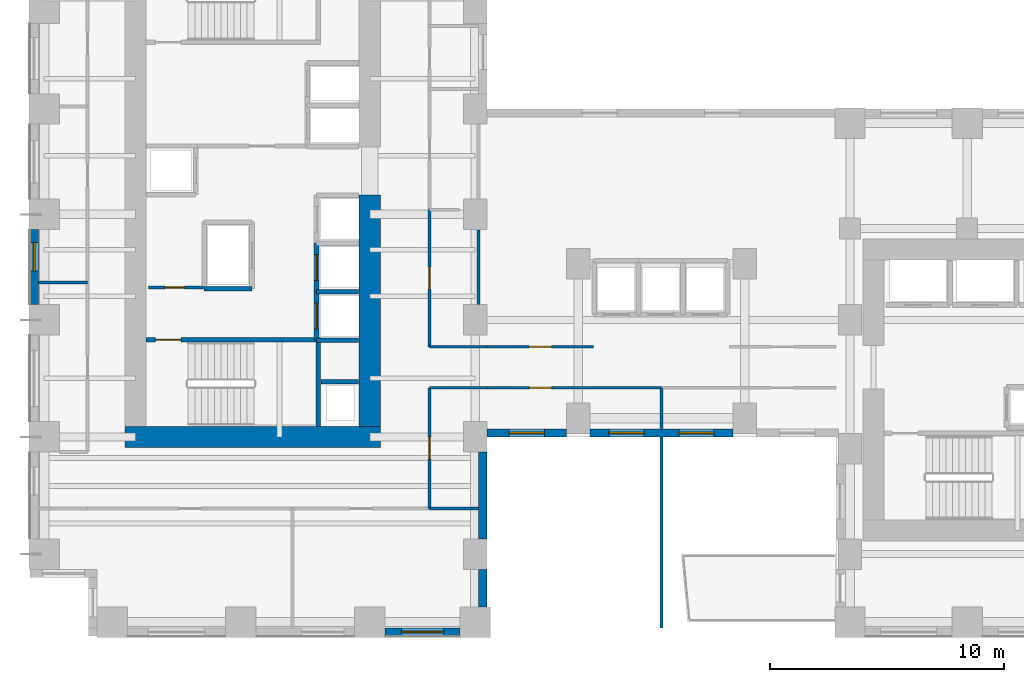
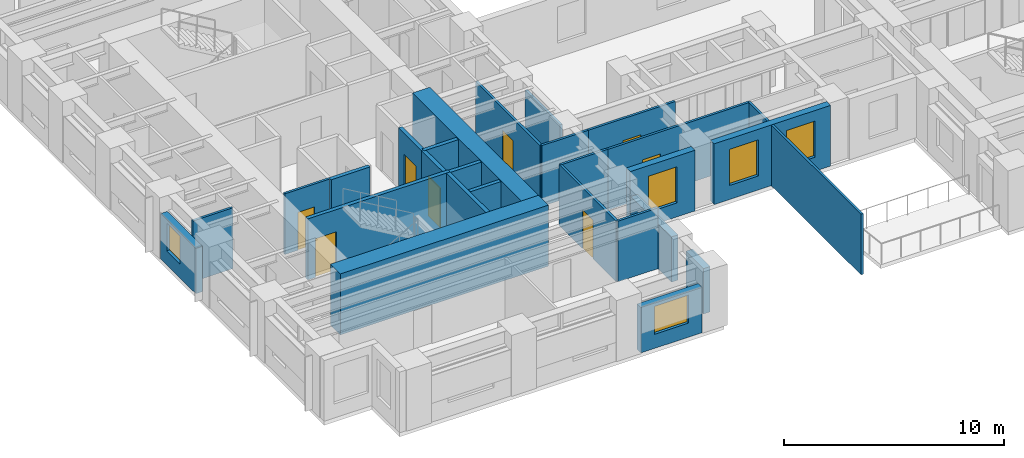
# One storey, part 4 of 13: 28 walls, 8 doors, 5 windows, 13 openings.
"""IFC4 building model written with IfcOpenShell, lengths in metres."""

from ifc_helpers import new_model, si_unit, direction, frame, frame_2d, origin, place, context, subcontext, project, spatial, rectangle, extrude, source, transform, mapped, material, layer, layer_set, type_object, element, fill, save


model = new_model("IFC4")

# Units and contexts
model_context = context("Model", 3, precision=1e-05, world=origin(), true_north=direction((0.0, 1.0)))
body_context = subcontext(model_context, "Body", "Model", "MODEL_VIEW")
ifc_project = project(units=[si_unit("LENGTHUNIT", "METRE"), si_unit("AREAUNIT", "SQUARE_METRE"), si_unit("VOLUMEUNIT", "CUBIC_METRE"), si_unit("PLANEANGLEUNIT", "RADIAN"), si_unit("MASSUNIT", "GRAM", prefix="KILO")], contexts=[model_context])

# Site, building, storey
site_placement = place(None, origin())
site = spatial("IfcSite", under=ifc_project, at=site_placement, CompositionType="ELEMENT")
building_placement = place(site_placement, origin())
building = spatial("IfcBuilding", under=site, at=building_placement, Name="Kharzan Plaza Tower", CompositionType="ELEMENT")
storey_placement = place(building_placement, frame((0.0, 0.0, 47.699951171875)))
storey = spatial("IfcBuildingStorey", under=building, at=storey_placement, Name="L12", CompositionType="ELEMENT", Elevation=47.699951171875)

# Wall, opening, window
ifc_material_1 = material(Name="Concrete C40/50", Category="concrete")
ifc_layer_1 = layer(ifc_material_1, 0.35009765625)
ifc_layer_set_1 = layer_set([ifc_layer_1], Name="Concrete C40/50")
wall_type_1 = type_object("IfcWallType", Name="WL-EXT-MAS-Z1", PredefinedType="SOLIDWALL", material=ifc_layer_set_1)
wall_1_placement = place(storey_placement, frame((0.175048828125, 17.35205078125, 0.0), z_axis=(0.0, 0.0, 1.0), x_axis=(0.0, -1.0, 0.0)))
wall_1 = element("IfcWall", 1, at=wall_1_placement, inside=storey, type_object=wall_type_1, Name="L12 Masonry-Frame Exterior Wall 17", PredefinedType="SOLIDWALL", context=body_context, shape_type="SweptSolid", body=[
    extrude(rectangle(XDim=3.2041015625, YDim=0.35009765625, at=frame_2d((1.60205078125, 0.0))), origin(), (0.0, 0.0, 1.0), 2.510009765625),
])
opening_1_placement = place(wall_1_placement, frame((0.56103515625, 0.0, 0.780029296875)))
opening_1 = element("IfcOpeningElement", 2, at=opening_1_placement, cuts=wall_1, Name="Opening W3", PredefinedType="OPENING", context=body_context, shape_type="SweptSolid", body=[
    extrude(rectangle(XDim=1.199951171875, YDim=1.550048828125, at=frame_2d((0.60009765625, 0.77490234375))), frame((0.0, 0.18505859375, 0.0), z_axis=(0.0, -1.0, 0.0), x_axis=(1.0, 0.0, 0.0)), (0.0, 0.0, 1.0), 0.3701171875),
])
ifc_material_2 = material(Name="Low-E Double Glazing", Category="glass")
window_type_1 = type_object("IfcWindowType", Name="WN-REC-1200x2100", PartitioningType="SINGLE_PANEL", PredefinedType="WINDOW", material=ifc_material_2)
shared_shape_1 = source(origin(), body_context, "Body", "SweptSolid", [
    extrude(rectangle(XDim=1.199951171875, YDim=1.550048828125, at=frame_2d((0.60009765625, 0.77490234375))), frame((0.0, 0.030029296875, 0.0), z_axis=(0.0, -1.0, 0.0), x_axis=(1.0, 0.0, 0.0)), (0.0, 0.0, 1.0), 0.06005859375),
])
window_1_placement = place(opening_1_placement, origin())
window_1 = element("IfcWindow", 3, at=window_1_placement, inside=storey, type_object=window_type_1, Name="L12 Recessed Solar-Control Window 17-1", OverallHeight=1.550048828125, OverallWidth=1.199951171875, PartitioningType="SINGLE_PANEL", PredefinedType="WINDOW", context=body_context, shape_type="MappedRepresentation", body=[
    mapped(shared_shape_1, transform((0.0, 0.0, 0.0), x_axis=(1.0, 0.0, 0.0), y_axis=(0.0, 1.0, 0.0), z_axis=(0.0, 0.0, 1.0))),
])
fill(opening_1, window_1)

wall_2_placement = place(storey_placement, frame((15.14794921875, 0.175048828125, 0.0), z_axis=(0.0, 0.0, 1.0), x_axis=(1.0, 0.0, 0.0)))
wall_2 = element("IfcWall", 4, at=wall_2_placement, inside=storey, type_object=wall_type_1, Name="L12 Masonry-Frame Exterior Wall 25", PredefinedType="SOLIDWALL", context=body_context, shape_type="SweptSolid", body=[
    extrude(rectangle(XDim=3.2041015625, YDim=0.35009765625, at=frame_2d((1.60205078125, 0.0))), origin(), (0.0, 0.0, 1.0), 2.510009765625),
])
opening_2_placement = place(wall_2_placement, frame((0.701904296875, 0.0, 0.780029296875)))
opening_2 = element("IfcOpeningElement", 5, at=opening_2_placement, cuts=wall_2, Name="Opening W1", PredefinedType="OPENING", context=body_context, shape_type="SweptSolid", body=[
    extrude(rectangle(XDim=1.800048828125, YDim=1.550048828125, at=frame_2d((0.89990234375, 0.77490234375))), frame((0.0, 0.18505859375, 0.0), z_axis=(0.0, -1.0, 0.0), x_axis=(1.0, 0.0, 0.0)), (0.0, 0.0, 1.0), 0.3701171875),
])
window_type_2 = type_object("IfcWindowType", Name="WN-REC-1800x2100", PartitioningType="SINGLE_PANEL", PredefinedType="WINDOW", material=ifc_material_2)
shared_shape_2 = source(origin(), body_context, "Body", "SweptSolid", [
    extrude(rectangle(XDim=1.800048828125, YDim=1.550048828125, at=frame_2d((0.89990234375, 0.77490234375))), frame((0.0, 0.030029296875, 0.0), z_axis=(0.0, -1.0, 0.0), x_axis=(1.0, 0.0, 0.0)), (0.0, 0.0, 1.0), 0.06005859375),
])
window_2_placement = place(opening_2_placement, origin())
window_2 = element("IfcWindow", 6, at=window_2_placement, inside=storey, type_object=window_type_2, Name="L12 Recessed Solar-Control Window 25-1", OverallHeight=1.550048828125, OverallWidth=1.800048828125, PartitioningType="SINGLE_PANEL", PredefinedType="WINDOW", context=body_context, shape_type="MappedRepresentation", body=[
    mapped(shared_shape_2, transform((0.0, 0.0, 0.0), x_axis=(1.0, 0.0, 0.0), y_axis=(0.0, 1.0, 0.0), z_axis=(0.0, 0.0, 1.0))),
])
fill(opening_2, window_2)

wall_3_placement = place(storey_placement, frame((19.498046875, 8.675048828125, 0.0), z_axis=(0.0, 0.0, 1.0), x_axis=(1.0, 0.0, 0.0)))
wall_3 = element("IfcWall", 7, at=wall_3_placement, inside=storey, type_object=wall_type_1, Name="L12 Masonry-Frame Exterior Wall 28", PredefinedType="SOLIDWALL", context=body_context, shape_type="SweptSolid", body=[
    extrude(rectangle(XDim=3.404052734375, YDim=0.35009765625, at=frame_2d((1.7021484375, 0.0))), origin(), (0.0, 0.0, 1.0), 3.364990234375),
])
opening_3_placement = place(wall_3_placement, frame((0.951904296875, 0.0, 0.780029296875)))
opening_3 = element("IfcOpeningElement", 8, at=opening_3_placement, cuts=wall_3, Name="Opening W5", PredefinedType="OPENING", context=body_context, shape_type="SweptSolid", body=[
    extrude(rectangle(XDim=1.5, YDim=2.0, at=frame_2d((0.75, 1.0))), frame((0.0, 0.18505859375, 0.0), z_axis=(0.0, -1.0, 0.0), x_axis=(1.0, 0.0, 0.0)), (0.0, 0.0, 1.0), 0.3701171875),
])
window_type_3 = type_object("IfcWindowType", Name="WN-SLT-1500x2000", PartitioningType="SINGLE_PANEL", PredefinedType="WINDOW", material=ifc_material_2)
shared_shape_3 = source(origin(), body_context, "Body", "SweptSolid", [
    extrude(rectangle(XDim=1.5, YDim=2.0, at=frame_2d((0.75, 1.0))), frame((0.0, 0.030029296875, 0.0), z_axis=(0.0, -1.0, 0.0), x_axis=(1.0, 0.0, 0.0)), (0.0, 0.0, 1.0), 0.06005859375),
])
window_3_placement = place(opening_3_placement, origin())
window_3 = element("IfcWindow", 9, at=window_3_placement, inside=storey, type_object=window_type_3, Name="L12 Recessed Solar-Control Window 28-1", OverallHeight=2.0, OverallWidth=1.5, PartitioningType="SINGLE_PANEL", PredefinedType="WINDOW", context=body_context, shape_type="MappedRepresentation", body=[
    mapped(shared_shape_3, transform((0.0, 0.0, 0.0), x_axis=(1.0, 0.0, 0.0), y_axis=(0.0, 1.0, 0.0), z_axis=(0.0, 0.0, 1.0))),
])
fill(opening_3, window_3)

# Wall, openings, windows
wall_4_placement = place(storey_placement, frame((23.89794921875, 8.675048828125, 0.0), z_axis=(0.0, 0.0, 1.0), x_axis=(1.0, 0.0, 0.0)))
wall_4 = element("IfcWall", 10, at=wall_4_placement, inside=storey, type_object=wall_type_1, Name="L12 Masonry-Frame Exterior Wall 29", PredefinedType="SOLIDWALL", context=body_context, shape_type="SweptSolid", body=[
    extrude(rectangle(XDim=6.10400390625, YDim=0.35009765625, at=frame_2d((3.052001953125, 0.0))), origin(), (0.0, 0.0, 1.0), 3.364990234375),
])
opening_4_placement = place(wall_4_placement, frame((0.81103515625, 0.0, 0.780029296875)))
opening_4 = element("IfcOpeningElement", 11, at=opening_4_placement, cuts=wall_4, Name="Opening W5", PredefinedType="OPENING", context=body_context, shape_type="SweptSolid", body=[
    extrude(rectangle(XDim=1.5, YDim=2.0, at=frame_2d((0.75, 1.0))), frame((0.0, 0.18505859375, 0.0), z_axis=(0.0, -1.0, 0.0), x_axis=(1.0, 0.0, 0.0)), (0.0, 0.0, 1.0), 0.3701171875),
])
opening_5_placement = place(wall_4_placement, frame((3.79296875, 0.0, 0.780029296875)))
opening_5 = element("IfcOpeningElement", 12, at=opening_5_placement, cuts=wall_4, Name="Opening W5", PredefinedType="OPENING", context=body_context, shape_type="SweptSolid", body=[
    extrude(rectangle(XDim=1.5, YDim=2.0, at=frame_2d((0.75, 1.0))), frame((0.0, 0.18505859375, 0.0), z_axis=(0.0, -1.0, 0.0), x_axis=(1.0, 0.0, 0.0)), (0.0, 0.0, 1.0), 0.3701171875),
])
window_4_placement = place(opening_4_placement, origin())
window_4 = element("IfcWindow", 13, at=window_4_placement, inside=storey, type_object=window_type_3, Name="L12 Recessed Solar-Control Window 29-1", OverallHeight=2.0, OverallWidth=1.5, PartitioningType="SINGLE_PANEL", PredefinedType="WINDOW", context=body_context, shape_type="MappedRepresentation", body=[
    mapped(shared_shape_3, transform((0.0, 0.0, 0.0), x_axis=(1.0, 0.0, 0.0), y_axis=(0.0, 1.0, 0.0), z_axis=(0.0, 0.0, 1.0))),
])
fill(opening_4, window_4)
window_5_placement = place(opening_5_placement, origin())
window_5 = element("IfcWindow", 14, at=window_5_placement, inside=storey, type_object=window_type_3, Name="L12 Recessed Solar-Control Window 29-2", OverallHeight=2.0, OverallWidth=1.5, PartitioningType="SINGLE_PANEL", PredefinedType="WINDOW", context=body_context, shape_type="MappedRepresentation", body=[
    mapped(shared_shape_3, transform((0.0, 0.0, 0.0), x_axis=(1.0, 0.0, 0.0), y_axis=(0.0, 1.0, 0.0), z_axis=(0.0, 0.0, 1.0))),
])
fill(opening_5, window_5)

# Wall, opening, door
ifc_material_3 = material(Name="Fire-Rated Gypsum Board Partition", Category="gypsum")
ifc_layer_2 = layer(ifc_material_3, 0.125)
ifc_layer_set_2 = layer_set([ifc_layer_2], Name="Fire-Rated Gypsum Board Partition")
wall_type_2 = type_object("IfcWallType", Name="WL-INT-PART-125", PredefinedType="PARTITIONING", material=ifc_layer_set_2)
wall_5_placement = place(storey_placement, frame((5.050048828125, 14.8798828125, 0.0), z_axis=(0.0, 0.0, 1.0), x_axis=(1.0, 0.0, 0.0)))
wall_5 = element("IfcWall", 15, at=wall_5_placement, inside=storey, type_object=wall_type_2, Name="L12 Interior Partition CA-K0", PredefinedType="PARTITIONING", context=body_context, shape_type="SweptSolid", body=[
    extrude(rectangle(XDim=2.349853515625, YDim=0.125, at=frame_2d((1.1748046875, 0.0))), origin(), (0.0, 0.0, 1.0), 3.364990234375),
])
opening_6_placement = place(wall_5_placement, frame((0.699951171875, 0.0, 0.0)))
opening_6 = element("IfcOpeningElement", 16, at=opening_6_placement, cuts=wall_5, Name="Opening RD1", PredefinedType="OPENING", context=body_context, shape_type="SweptSolid", body=[
    extrude(rectangle(XDim=0.85009765625, YDim=2.10009765625, at=frame_2d((0.425048828125, 1.050048828125))), frame((0.0, 0.072509765625, 0.0), z_axis=(0.0, -1.0, 0.0), x_axis=(1.0, 0.0, 0.0)), (0.0, 0.0, 1.0), 0.14501953125),
])
ifc_material_4 = material(Name="Powder-Coated Fire-Rated Steel", Category="steel")
door_type_1 = type_object("IfcDoorType", Name="DR-RISER-900", OperationType="NOTDEFINED", PredefinedType="DOOR", material=ifc_material_4)
shared_shape_4 = source(origin(), body_context, "Body", "SweptSolid", [
    extrude(rectangle(XDim=0.85009765625, YDim=2.10009765625, at=frame_2d((0.425048828125, 1.050048828125))), frame((0.0, 0.02490234375, 0.0), z_axis=(0.0, -1.0, 0.0), x_axis=(1.0, 0.0, 0.0)), (0.0, 0.0, 1.0), 0.050048828125),
])
door_1_placement = place(opening_6_placement, origin())
door_1 = element("IfcDoor", 17, at=door_1_placement, inside=storey, type_object=door_type_1, Name="L12 Cleaners Store Door", OperationType="SINGLE_SWING_RIGHT", OverallHeight=2.10009765625, OverallWidth=0.85009765625, PredefinedType="DOOR", context=body_context, shape_type="MappedRepresentation", body=[
    mapped(shared_shape_4, transform((0.0, 0.0, 0.0), x_axis=(1.0, 0.0, 0.0), y_axis=(0.0, 1.0, 0.0), z_axis=(0.0, 0.0, 1.0))),
])
fill(opening_6, door_1)

wall_6_placement = place(storey_placement, frame((17.050048828125, 12.35009765625, 0.0), z_axis=(0.0, 0.0, 1.0), x_axis=(0.0, 1.0, 0.0)))
wall_6 = element("IfcWall", 18, at=wall_6_placement, inside=storey, type_object=wall_type_2, Name="L12 Interior Partition SH-AEWN1", PredefinedType="PARTITIONING", context=body_context, shape_type="SweptSolid", body=[
    extrude(rectangle(XDim=5.849853515625, YDim=0.125, at=frame_2d((2.9248046875, 0.0))), origin(), (0.0, 0.0, 1.0), 3.364990234375),
])
opening_7_placement = place(wall_6_placement, frame((2.449951171875, 0.0, 0.0)))
opening_7 = element("IfcOpeningElement", 19, at=opening_7_placement, cuts=wall_6, Name="Opening OD1", PredefinedType="OPENING", context=body_context, shape_type="SweptSolid", body=[
    extrude(rectangle(XDim=0.949951171875, YDim=2.14990234375, at=frame_2d((0.47509765625, 1.074951171875))), frame((0.0, 0.072509765625, 0.0), z_axis=(0.0, -1.0, 0.0), x_axis=(1.0, 0.0, 0.0)), (0.0, 0.0, 1.0), 0.14501953125),
])
ifc_material_5 = material(Name="Acoustic Solid-Core Stained Oak", Category="timber")
door_type_2 = type_object("IfcDoorType", Name="DR-OFF-SINGLE", OperationType="NOTDEFINED", PredefinedType="DOOR", material=ifc_material_5)
shared_shape_5 = source(origin(), body_context, "Body", "SweptSolid", [
    extrude(rectangle(XDim=0.949951171875, YDim=2.14990234375, at=frame_2d((0.47509765625, 1.074951171875))), frame((0.0, 0.02490234375, 0.0), z_axis=(0.0, -1.0, 0.0), x_axis=(1.0, 0.0, 0.0)), (0.0, 0.0, 1.0), 0.050048828125),
])
door_2_placement = place(opening_7_placement, origin())
door_2 = element("IfcDoor", 20, at=door_2_placement, inside=storey, type_object=door_type_2, Name="L12 Slot Collaboration Door", OperationType="SINGLE_SWING_LEFT", OverallHeight=2.14990234375, OverallWidth=0.949951171875, PredefinedType="DOOR", context=body_context, shape_type="MappedRepresentation", body=[
    mapped(shared_shape_5, transform((0.0, 0.0, 0.0), x_axis=(1.0, 0.0, 0.0), y_axis=(0.0, 1.0, 0.0), z_axis=(0.0, 0.0, 1.0))),
])
fill(opening_7, door_2)

wall_7_placement = place(storey_placement, frame((17.050048828125, 5.449951171875, 0.0), z_axis=(0.0, 0.0, 1.0), x_axis=(0.0, 1.0, 0.0)))
wall_7 = element("IfcWall", 21, at=wall_7_placement, inside=storey, type_object=wall_type_2, Name="L12 Interior Partition SH-AEWS", PredefinedType="PARTITIONING", context=body_context, shape_type="SweptSolid", body=[
    extrude(rectangle(XDim=5.150146484375, YDim=0.125, at=frame_2d((2.5751953125, 0.0))), origin(), (0.0, 0.0, 1.0), 3.364990234375),
])
opening_8_placement = place(wall_7_placement, frame((2.10009765625, 0.0, 0.0)))
opening_8 = element("IfcOpeningElement", 22, at=opening_8_placement, cuts=wall_7, Name="Opening OD1", PredefinedType="OPENING", context=body_context, shape_type="SweptSolid", body=[
    extrude(rectangle(XDim=0.949951171875, YDim=2.14990234375, at=frame_2d((0.47509765625, 1.074951171875))), frame((0.0, 0.072509765625, 0.0), z_axis=(0.0, -1.0, 0.0), x_axis=(1.0, 0.0, 0.0)), (0.0, 0.0, 1.0), 0.14501953125),
])
door_3_placement = place(opening_8_placement, origin())
door_3 = element("IfcDoor", 23, at=door_3_placement, inside=storey, type_object=door_type_2, Name="L12 Slot South Office Door", OperationType="SINGLE_SWING_RIGHT", OverallHeight=2.14990234375, OverallWidth=0.949951171875, PredefinedType="DOOR", context=body_context, shape_type="MappedRepresentation", body=[
    mapped(shared_shape_5, transform((0.0, 0.0, 0.0), x_axis=(1.0, 0.0, 0.0), y_axis=(0.0, 1.0, 0.0), z_axis=(0.0, 0.0, 1.0))),
])
fill(opening_8, door_3)

wall_8_placement = place(storey_placement, frame((19.5, 12.35009765625, 0.0), z_axis=(0.0, 0.0, 1.0), x_axis=(1.0, 0.0, 0.0)))
wall_8 = element("IfcWall", 24, at=wall_8_placement, inside=storey, type_object=wall_type_2, Name="L12 Interior Partition SH-SPNW1", PredefinedType="PARTITIONING", context=body_context, shape_type="SweptSolid", body=[
    extrude(rectangle(XDim=4.550048828125, YDim=0.125, at=frame_2d((2.27490234375, 0.0))), origin(), (0.0, 0.0, 1.0), 3.364990234375),
])
opening_9_placement = place(wall_8_placement, frame((1.800048828125, 0.0, 0.0)))
opening_9 = element("IfcOpeningElement", 25, at=opening_9_placement, cuts=wall_8, Name="Opening OD1", PredefinedType="OPENING", context=body_context, shape_type="SweptSolid", body=[
    extrude(rectangle(XDim=0.949951171875, YDim=2.14990234375, at=frame_2d((0.47509765625, 1.074951171875))), frame((0.0, 0.072509765625, 0.0), z_axis=(0.0, -1.0, 0.0), x_axis=(1.0, 0.0, 0.0)), (0.0, 0.0, 1.0), 0.14501953125),
])
door_4_placement = place(opening_9_placement, origin())
door_4 = element("IfcDoor", 26, at=door_4_placement, inside=storey, type_object=door_type_2, Name="L12 North-West Spine Door", OperationType="SINGLE_SWING_LEFT", OverallHeight=2.14990234375, OverallWidth=0.949951171875, PredefinedType="DOOR", context=body_context, shape_type="MappedRepresentation", body=[
    mapped(shared_shape_5, transform((0.0, 0.0, 0.0), x_axis=(1.0, 0.0, 0.0), y_axis=(0.0, 1.0, 0.0), z_axis=(0.0, 0.0, 1.0))),
])
fill(opening_9, door_4)

wall_9_placement = place(storey_placement, frame((19.5, 10.60009765625, 0.0), z_axis=(0.0, 0.0, 1.0), x_axis=(1.0, 0.0, 0.0)))
wall_9 = element("IfcWall", 27, at=wall_9_placement, inside=storey, type_object=wall_type_2, Name="L12 Interior Partition SH-SPS1", PredefinedType="PARTITIONING", context=body_context, shape_type="SweptSolid", body=[
    extrude(rectangle(XDim=7.449951171875, YDim=0.125, at=frame_2d((3.72509765625, 0.0))), origin(), (0.0, 0.0, 1.0), 3.364990234375),
])
opening_10_placement = place(wall_9_placement, frame((1.8173828125, 0.0, 0.0)))
opening_10 = element("IfcOpeningElement", 28, at=opening_10_placement, cuts=wall_9, Name="Opening OD1", PredefinedType="OPENING", context=body_context, shape_type="SweptSolid", body=[
    extrude(rectangle(XDim=0.949951171875, YDim=2.14990234375, at=frame_2d((0.47509765625, 1.074951171875))), frame((0.0, 0.072509765625, 0.0), z_axis=(0.0, -1.0, 0.0), x_axis=(1.0, 0.0, 0.0)), (0.0, 0.0, 1.0), 0.14501953125),
])
door_5_placement = place(opening_10_placement, origin())
door_5 = element("IfcDoor", 29, at=door_5_placement, inside=storey, type_object=door_type_2, Name="L12 South Spine West Door", OperationType="SINGLE_SWING_LEFT", OverallHeight=2.14990234375, OverallWidth=0.949951171875, PredefinedType="DOOR", context=body_context, shape_type="MappedRepresentation", body=[
    mapped(shared_shape_5, transform((0.0, 0.0, 0.0), x_axis=(1.0, 0.0, 0.0), y_axis=(0.0, 1.0, 0.0), z_axis=(0.0, 0.0, 1.0))),
])
fill(opening_10, door_5)

ifc_layer_3 = layer(ifc_material_1, 0.199951171875)
ifc_layer_set_3 = layer_set([ifc_layer_3], Name="Concrete C40/50")
wall_type_3 = type_object("IfcWallType", Name="WL-INT-SHAFT-200", PredefinedType="PARTITIONING", material=ifc_layer_set_3)
wall_10_placement = place(storey_placement, frame((12.22998046875, 12.6298828125, 0.0), z_axis=(0.0, 0.0, 1.0), x_axis=(0.0, 1.0, 0.0)))
wall_10 = element("IfcWall", 30, at=wall_10_placement, inside=storey, type_object=wall_type_3, Name="L12 Interior Partition SHF-PL-H1-W", PredefinedType="PARTITIONING", context=body_context, shape_type="SweptSolid", body=[
    extrude(rectangle(XDim=2.070068359375, YDim=0.199951171875, at=frame_2d((1.03515625, 0.0))), origin(), (0.0, 0.0, 1.0), 3.364990234375),
])
opening_11_placement = place(wall_10_placement, frame((0.485107421875, 0.0, 0.0)))
opening_11 = element("IfcOpeningElement", 31, at=opening_11_placement, cuts=wall_10, Name="Opening LD", PredefinedType="OPENING", context=body_context, shape_type="SweptSolid", body=[
    extrude(rectangle(XDim=1.10009765625, YDim=2.199951171875, at=frame_2d((0.550048828125, 1.10009765625))), frame((0.0, 0.10986328125, 0.0), z_axis=(0.0, -1.0, 0.0), x_axis=(1.0, 0.0, 0.0)), (0.0, 0.0, 1.0), 0.219970703125),
])
ifc_material_6 = material(Name="Brushed Stainless Steel", Category="steel")
door_type_3 = type_object("IfcDoorType", Name="DR-LIFT-SLIDE", OperationType="SLIDING_TO_LEFT", PredefinedType="DOOR", material=ifc_material_6)
shared_shape_6 = source(origin(), body_context, "Body", "SweptSolid", [
    extrude(rectangle(XDim=1.10009765625, YDim=2.199951171875, at=frame_2d((0.550048828125, 1.10009765625))), frame((0.0, 0.02490234375, 0.0), z_axis=(0.0, -1.0, 0.0), x_axis=(1.0, 0.0, 0.0)), (0.0, 0.0, 1.0), 0.050048828125),
])
door_6_placement = place(opening_11_placement, origin())
door_6 = element("IfcDoor", 32, at=door_6_placement, inside=storey, type_object=door_type_3, Name="L12 High-Rise Passenger Lift PL-H1 Sliding Landing Door", OperationType="SLIDING_TO_LEFT", OverallHeight=2.199951171875, OverallWidth=1.10009765625, PredefinedType="DOOR", context=body_context, shape_type="MappedRepresentation", body=[
    mapped(shared_shape_6, transform((0.0, 0.0, 0.0), x_axis=(1.0, 0.0, 0.0), y_axis=(0.0, 1.0, 0.0), z_axis=(0.0, 0.0, 1.0))),
])
fill(opening_11, door_6)

wall_11_placement = place(storey_placement, frame((12.22998046875, 14.699951171875, 0.0), z_axis=(0.0, 0.0, 1.0), x_axis=(0.0, 1.0, 0.0)))
wall_11 = element("IfcWall", 33, at=wall_11_placement, inside=storey, type_object=wall_type_3, Name="L12 Interior Partition SHF-PL-H2-W", PredefinedType="PARTITIONING", context=body_context, shape_type="SweptSolid", body=[
    extrude(rectangle(XDim=2.070068359375, YDim=0.199951171875, at=frame_2d((1.03515625, 0.0))), origin(), (0.0, 0.0, 1.0), 3.364990234375),
])
opening_12_placement = place(wall_11_placement, frame((0.485107421875, 0.0, 0.0)))
opening_12 = element("IfcOpeningElement", 34, at=opening_12_placement, cuts=wall_11, Name="Opening LD", PredefinedType="OPENING", context=body_context, shape_type="SweptSolid", body=[
    extrude(rectangle(XDim=1.10009765625, YDim=2.199951171875, at=frame_2d((0.550048828125, 1.10009765625))), frame((0.0, 0.10986328125, 0.0), z_axis=(0.0, -1.0, 0.0), x_axis=(1.0, 0.0, 0.0)), (0.0, 0.0, 1.0), 0.219970703125),
])
door_7_placement = place(opening_12_placement, origin())
door_7 = element("IfcDoor", 35, at=door_7_placement, inside=storey, type_object=door_type_3, Name="L12 High-Rise Passenger Lift PL-H2 Sliding Landing Door", OperationType="SLIDING_TO_LEFT", OverallHeight=2.199951171875, OverallWidth=1.10009765625, PredefinedType="DOOR", context=body_context, shape_type="MappedRepresentation", body=[
    mapped(shared_shape_6, transform((0.0, 0.0, 0.0), x_axis=(1.0, 0.0, 0.0), y_axis=(0.0, 1.0, 0.0), z_axis=(0.0, 0.0, 1.0))),
])
fill(opening_12, door_7)

ifc_material_7 = material(Name="Concrete C50/60", Category="concrete")
ifc_layer_4 = layer(ifc_material_7, 0.199951171875)
ifc_layer_set_4 = layer_set([ifc_layer_4], Name="Concrete C50/60")
wall_type_4 = type_object("IfcWallType", Name="WL-SHAFT-RC200", PredefinedType="SHEAR", material=ifc_layer_set_4)
wall_12_placement = place(storey_placement, frame((4.951904296875, 12.655029296875, 0.0), z_axis=(0.0, 0.0, 1.0), x_axis=(1.0, 0.0, 0.0)))
wall_12 = element("IfcWall", 36, at=wall_12_placement, inside=storey, type_object=wall_type_4, Name="L12 Stair ST-1 North RC Shaft Wall", PredefinedType="SHEAR", context=body_context, shape_type="SweptSolid", body=[
    extrude(rectangle(XDim=7.453125, YDim=0.199951171875, at=frame_2d((3.7265625, 0.0))), origin(), (0.0, 0.0, 1.0), 3.380126953125),
])
opening_13_placement = place(wall_12_placement, frame((0.39990234375, 0.0, 0.0)))
opening_13 = element("IfcOpeningElement", 37, at=opening_13_placement, cuts=wall_12, Name="Opening SD1", PredefinedType="OPENING", context=body_context, shape_type="SweptSolid", body=[
    extrude(rectangle(XDim=1.10009765625, YDim=2.14990234375, at=frame_2d((0.550048828125, 1.074951171875))), frame((0.0, 0.10986328125, 0.0), z_axis=(0.0, -1.0, 0.0), x_axis=(1.0, 0.0, 0.0)), (0.0, 0.0, 1.0), 0.219970703125),
])
ifc_material_8 = material(Name="Fire-Rated Hollow Galvanized Steel", Category="steel")
door_type_4 = type_object("IfcDoorType", Name="DR-STAIR-FD120", OperationType="NOTDEFINED", PredefinedType="DOOR", material=ifc_material_8)
shared_shape_7 = source(origin(), body_context, "Body", "SweptSolid", [
    extrude(rectangle(XDim=1.10009765625, YDim=2.14990234375, at=frame_2d((0.550048828125, 1.074951171875))), frame((0.0, 0.02490234375, 0.0), z_axis=(0.0, -1.0, 0.0), x_axis=(1.0, 0.0, 0.0)), (0.0, 0.0, 1.0), 0.050048828125),
])
door_8_placement = place(opening_13_placement, origin())
door_8 = element("IfcDoor", 38, at=door_8_placement, inside=storey, type_object=door_type_4, Name="L12 Stair ST-1 Fire Exit Door", OperationType="SINGLE_SWING_RIGHT", OverallHeight=2.14990234375, OverallWidth=1.10009765625, PredefinedType="DOOR", context=body_context, shape_type="MappedRepresentation", body=[
    mapped(shared_shape_7, transform((0.0, 0.0, 0.0), x_axis=(1.0, 0.0, 0.0), y_axis=(0.0, 1.0, 0.0), z_axis=(0.0, 0.0, 1.0))),
])
fill(opening_13, door_8)

# Walls
shared_shape_8 = source(origin(), body_context, "Body", "SweptSolid", [
    extrude(rectangle(XDim=1.60400390625, YDim=0.35009765625, at=frame_2d((0.802001953125, 0.0))), origin(), (0.0, 0.0, 1.0), 2.510009765625),
])
wall_13_placement = place(storey_placement, frame((19.324951171875, 1.248046875, 0.0), z_axis=(0.0, 0.0, 1.0), x_axis=(0.0, 1.0, 0.0)))
element("IfcWall", 39, at=wall_13_placement, inside=storey, type_object=wall_type_1, Name="L12 Masonry-Frame Exterior Wall 26", PredefinedType="SOLIDWALL", context=body_context, shape_type="MappedRepresentation", body=[
    mapped(shared_shape_8, transform((0.0, 0.0, 0.0), x_axis=(1.0, 0.0, 0.0), y_axis=(0.0, 1.0, 0.0), z_axis=(0.0, 0.0, 1.0))),
])
shared_shape_9 = source(origin(), body_context, "Body", "SweptSolid", [
    extrude(rectangle(XDim=3.7041015625, YDim=0.35009765625, at=frame_2d((1.85205078125, 0.0))), origin(), (0.0, 0.0, 1.0), 2.510009765625),
])
wall_14_placement = place(storey_placement, frame((19.324951171875, 4.14794921875, 0.0), z_axis=(0.0, 0.0, 1.0), x_axis=(0.0, 1.0, 0.0)))
element("IfcWall", 40, at=wall_14_placement, inside=storey, type_object=wall_type_1, Name="L12 Masonry-Frame Exterior Wall 27", PredefinedType="SOLIDWALL", context=body_context, shape_type="MappedRepresentation", body=[
    mapped(shared_shape_9, transform((0.0, 0.0, 0.0), x_axis=(1.0, 0.0, 0.0), y_axis=(0.0, 1.0, 0.0), z_axis=(0.0, 0.0, 1.0))),
])
shared_shape_10 = source(origin(), body_context, "Body", "SweptSolid", [
    extrude(rectangle(XDim=1.60009765625, YDim=0.199951171875, at=frame_2d((0.800048828125, 0.0))), origin(), (0.0, 0.0, 1.0), 3.364990234375),
])
wall_15_placement = place(storey_placement, frame((12.419921875, 10.85009765625, 0.0), z_axis=(0.0, 0.0, 1.0), x_axis=(1.0, 0.0, 0.0)))
element("IfcWall", 41, at=wall_15_placement, inside=storey, type_object=wall_type_3, Name="L12 Interior Partition CA-RSRA-N", PredefinedType="PARTITIONING", context=body_context, shape_type="MappedRepresentation", body=[
    mapped(shared_shape_10, transform((0.0, 0.0, 0.0), x_axis=(1.0, 0.0, 0.0), y_axis=(0.0, 1.0, 0.0), z_axis=(0.0, 0.0, 1.0))),
])
shared_shape_11 = source(origin(), body_context, "Body", "SweptSolid", [
    extrude(rectangle(XDim=1.7900390625, YDim=0.199951171875, at=frame_2d((0.89501953125, 0.0))), origin(), (0.0, 0.0, 1.0), 3.364990234375),
])
for number, where, z_axis, x_axis, name in (
    (42, (12.22998046875, 14.699951171875, 0.0), (0.0, 0.0, 1.0), (1.0, 0.0, 0.0), "L12 Interior Partition SHF-PL-H1-N"),
    (43, (12.22998046875, 12.6298828125, 0.0), (0.0, 0.0, 1.0), (1.0, 0.0, 0.0), "L12 Interior Partition SHF-PL-H1-S"),
):
    element("IfcWall", number, at=place(storey_placement, frame(where, z_axis=z_axis, x_axis=x_axis)), inside=storey, type_object=wall_type_3, Name=name, PredefinedType="PARTITIONING", context=body_context, shape_type="MappedRepresentation", body=[
        mapped(shared_shape_11, transform((0.0, 0.0, 0.0), x_axis=(1.0, 0.0, 0.0), y_axis=(0.0, 1.0, 0.0), z_axis=(0.0, 0.0, 1.0))),
    ])
shared_shape_12 = source(origin(), body_context, "Body", "SweptSolid", [
    extrude(rectangle(XDim=2.0400390625, YDim=0.199951171875, at=frame_2d((1.02001953125, 0.0))), origin(), (0.0, 0.0, 1.0), 3.364990234375),
])
wall_16_placement = place(storey_placement, frame((7.429931640625, 14.830078125, 0.0), z_axis=(0.0, 0.0, 1.0), x_axis=(1.0, 0.0, 0.0)))
element("IfcWall", 44, at=wall_16_placement, inside=storey, type_object=wall_type_3, Name="L12 Interior Partition SHF-SVL-1-S", PredefinedType="PARTITIONING", context=body_context, shape_type="MappedRepresentation", body=[
    mapped(shared_shape_12, transform((0.0, 0.0, 0.0), x_axis=(1.0, 0.0, 0.0), y_axis=(0.0, 1.0, 0.0), z_axis=(0.0, 0.0, 1.0))),
])
shared_shape_13 = source(origin(), body_context, "Body", "SweptSolid", [
    extrude(rectangle(XDim=2.097900390625, YDim=0.125, at=frame_2d((1.048828125, 0.0))), origin(), (0.0, 0.0, 1.0), 3.364990234375),
])
for number, where, z_axis, x_axis, name in (
    (45, (17.050048828125, 5.449951171875, 0.0), (0.0, 0.0, 1.0), (1.0, 0.0, 0.0), "L12 Interior Partition SH-SSE-2"),
    (46, (0.35205078125, 15.10009765625, 0.0), (0.0, 0.0, 1.0), (1.0, 0.0, 0.0), "L12 Interior Partition SH-WH-1"),
):
    element("IfcWall", number, at=place(storey_placement, frame(where, z_axis=z_axis, x_axis=x_axis)), inside=storey, type_object=wall_type_2, Name=name, PredefinedType="PARTITIONING", context=body_context, shape_type="MappedRepresentation", body=[
        mapped(shared_shape_13, transform((0.0, 0.0, 0.0), x_axis=(1.0, 0.0, 0.0), y_axis=(0.0, 1.0, 0.0), z_axis=(0.0, 0.0, 1.0))),
    ])
shared_shape_14 = source(origin(), body_context, "Body", "SweptSolid", [
    extrude(rectangle(XDim=2.449951171875, YDim=0.125, at=frame_2d((1.22509765625, 0.0))), origin(), (0.0, 0.0, 1.0), 3.364990234375),
])
for number, where, z_axis, x_axis, name in (
    (47, (17.050048828125, 12.35009765625, 0.0), (0.0, 0.0, 1.0), (1.0, 0.0, 0.0), "L12 Interior Partition SH-SPNW0"),
    (48, (17.050048828125, 10.60009765625, 0.0), (0.0, 0.0, 1.0), (1.0, 0.0, 0.0), "L12 Interior Partition SH-SPS0"),
):
    element("IfcWall", number, at=place(storey_placement, frame(where, z_axis=z_axis, x_axis=x_axis)), inside=storey, type_object=wall_type_2, Name=name, PredefinedType="PARTITIONING", context=body_context, shape_type="MappedRepresentation", body=[
        mapped(shared_shape_14, transform((0.0, 0.0, 0.0), x_axis=(1.0, 0.0, 0.0), y_axis=(0.0, 1.0, 0.0), z_axis=(0.0, 0.0, 1.0))),
    ])
shared_shape_15 = source(origin(), body_context, "Body", "SweptSolid", [
    extrude(rectangle(XDim=8.14794921875, YDim=0.125, at=frame_2d((4.073974609375, 0.0))), origin(), (0.0, 0.0, 1.0), 3.364990234375),
])
wall_17_placement = place(storey_placement, frame((26.949951171875, 0.35009765625, 0.0), z_axis=(0.0, 0.0, 1.0), x_axis=(0.0, 1.0, 0.0)))
element("IfcWall", 49, at=wall_17_placement, inside=storey, type_object=wall_type_2, Name="L12 Interior Partition SH-SPSV1-S1", PredefinedType="PARTITIONING", context=body_context, shape_type="MappedRepresentation", body=[
    mapped(shared_shape_15, transform((0.0, 0.0, 0.0), x_axis=(1.0, 0.0, 0.0), y_axis=(0.0, 1.0, 0.0), z_axis=(0.0, 0.0, 1.0))),
])
shared_shape_16 = source(origin(), body_context, "Body", "SweptSolid", [
    extrude(rectangle(XDim=1.748046875, YDim=0.125, at=frame_2d((0.8740234375, 0.0))), origin(), (0.0, 0.0, 1.0), 3.364990234375),
])
wall_18_placement = place(storey_placement, frame((26.949951171875, 8.85205078125, 0.0), z_axis=(0.0, 0.0, 1.0), x_axis=(0.0, 1.0, 0.0)))
element("IfcWall", 50, at=wall_18_placement, inside=storey, type_object=wall_type_2, Name="L12 Interior Partition SH-SPSV1-S2", PredefinedType="PARTITIONING", context=body_context, shape_type="MappedRepresentation", body=[
    mapped(shared_shape_16, transform((0.0, 0.0, 0.0), x_axis=(1.0, 0.0, 0.0), y_axis=(0.0, 1.0, 0.0), z_axis=(0.0, 0.0, 1.0))),
])
ifc_material_9 = material(Name="Concrete C60/75", Category="concrete")
ifc_layer_5 = layer(ifc_material_9, 0.89990234375)
ifc_layer_set_5 = layer_set([ifc_layer_5], Name="Concrete C60/75")
wall_type_5 = type_object("IfcWallType", Name="WL-CORE-900", PredefinedType="SHEAR", material=ifc_layer_set_5)
shared_shape_17 = source(origin(), body_context, "Body", "SweptSolid", [
    extrude(rectangle(XDim=9.8701171875, YDim=0.89990234375, at=frame_2d((4.93505859375, 0.0))), origin(), (0.0, 0.0, 1.0), 3.380126953125),
])
wall_19_placement = place(storey_placement, frame((14.5, 8.949951171875, 0.0), z_axis=(0.0, 0.0, 1.0), x_axis=(0.0, 1.0, 0.0)))
element("IfcWall", 51, at=wall_19_placement, inside=storey, type_object=wall_type_5, Name="L12 CORE-A east shear pier 1", PredefinedType="SHEAR", context=body_context, shape_type="MappedRepresentation", body=[
    mapped(shared_shape_17, transform((0.0, 0.0, 0.0), x_axis=(1.0, 0.0, 0.0), y_axis=(0.0, 1.0, 0.0), z_axis=(0.0, 0.0, 1.0))),
])
shared_shape_18 = source(origin(), body_context, "Body", "SweptSolid", [
    extrude(rectangle(XDim=10.89990234375, YDim=0.89990234375, at=frame_2d((5.449951171875, 0.0))), origin(), (0.0, 0.0, 1.0), 3.380126953125),
])
wall_20_placement = place(storey_placement, frame((4.050048828125, 8.5, 0.0), z_axis=(0.0, 0.0, 1.0), x_axis=(1.0, 0.0, 0.0)))
element("IfcWall", 52, at=wall_20_placement, inside=storey, type_object=wall_type_5, Name="L12 CORE-A south RC shear wall", PredefinedType="SHEAR", context=body_context, shape_type="MappedRepresentation", body=[
    mapped(shared_shape_18, transform((0.0, 0.0, 0.0), x_axis=(1.0, 0.0, 0.0), y_axis=(0.0, 1.0, 0.0), z_axis=(0.0, 0.0, 1.0))),
])
shared_shape_19 = source(origin(), body_context, "Body", "SweptSolid", [
    extrude(rectangle(XDim=3.18017578125, YDim=0.125, at=frame_2d((1.590087890625, 0.0))), origin(), (0.0, 0.0, 1.0), 2.670166015625),
])
wall_21_placement = place(storey_placement, frame((19.14990234375, 14.159912109375, 0.0), z_axis=(0.0, 0.0, 1.0), x_axis=(0.0, 1.0, 0.0)))
element("IfcWall", 53, at=wall_21_placement, inside=storey, type_object=wall_type_2, Name="L12 Interior Partition SH-AEN-DIV-S1", PredefinedType="PARTITIONING", context=body_context, shape_type="MappedRepresentation", body=[
    mapped(shared_shape_19, transform((0.0, 0.0, 0.0), x_axis=(1.0, 0.0, 0.0), y_axis=(0.0, 1.0, 0.0), z_axis=(0.0, 0.0, 1.0))),
])
shared_shape_20 = source(origin(), body_context, "Body", "SweptSolid", [
    extrude(rectangle(XDim=3.60302734375, YDim=0.199951171875, at=frame_2d((1.801513671875, 0.0))), origin(), (0.0, 0.0, 1.0), 3.380126953125),
])
wall_22_placement = place(storey_placement, frame((12.304931640625, 8.951904296875, 0.0), z_axis=(0.0, 0.0, 1.0), x_axis=(0.0, 1.0, 0.0)))
element("IfcWall", 54, at=wall_22_placement, inside=storey, type_object=wall_type_4, Name="L12 Stair ST-1 East RC Shaft Wall", PredefinedType="SHEAR", context=body_context, shape_type="MappedRepresentation", body=[
    mapped(shared_shape_20, transform((0.0, 0.0, 0.0), x_axis=(1.0, 0.0, 0.0), y_axis=(0.0, 1.0, 0.0), z_axis=(0.0, 0.0, 1.0))),
])

save(model, "model.ifc")
